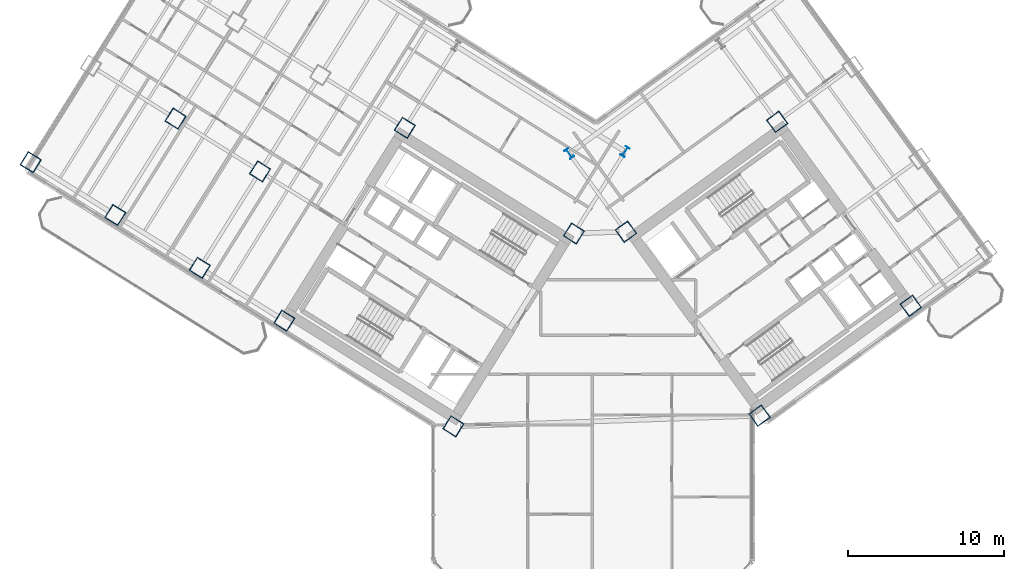
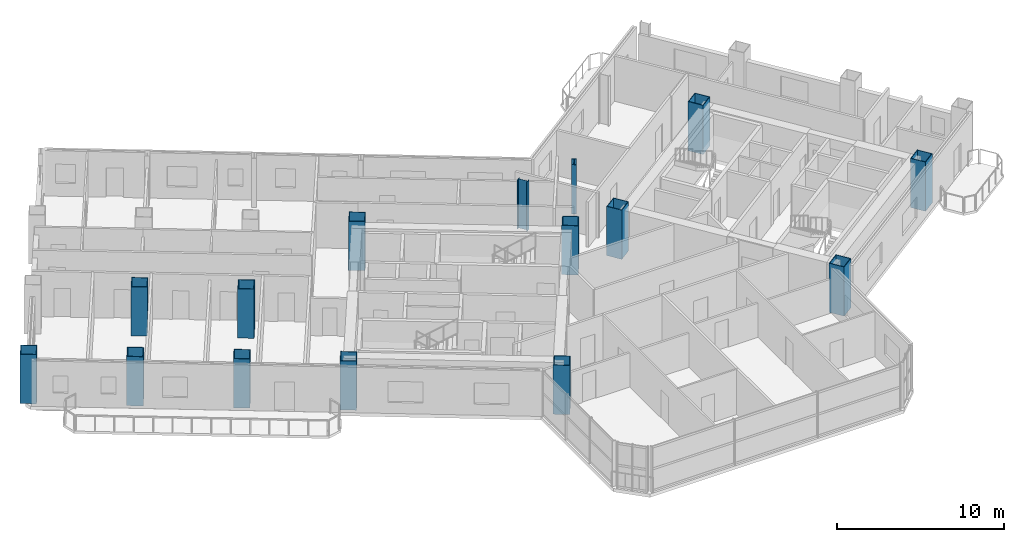
# One storey, part 1 of 21: 15 columns.
"""IFC4 building model written with IfcOpenShell, lengths in metres."""

from ifc_helpers import new_model, si_unit, direction, frame, origin, origin_2d, place, context, subcontext, project, spatial, hollow_rectangle, i_section, extrude, source, transform, mapped, material, material_profile, profile_set, type_object, element, save


model = new_model("IFC4")

# Units and contexts
model_context = context("Model", 3, precision=1e-05, world=origin(), true_north=direction((0.0, 1.0)))
body_context = subcontext(model_context, "Body", "Model", "MODEL_VIEW")
ifc_project = project(units=[si_unit("LENGTHUNIT", "METRE"), si_unit("AREAUNIT", "SQUARE_METRE"), si_unit("VOLUMEUNIT", "CUBIC_METRE"), si_unit("PLANEANGLEUNIT", "RADIAN"), si_unit("MASSUNIT", "GRAM", prefix="KILO")], contexts=[model_context])

# Site, building, storey
site_placement = place(None, origin())
site = spatial("IfcSite", under=ifc_project, at=site_placement, CompositionType="ELEMENT")
building_placement = place(site_placement, origin())
building = spatial("IfcBuilding", under=site, at=building_placement, Name="Tlacorven Tower", CompositionType="ELEMENT")
storey_placement = place(building_placement, frame((0.0, 0.0, 81.0)))
storey = spatial("IfcBuildingStorey", under=building, at=storey_placement, Name="L20", CompositionType="ELEMENT", Elevation=81.0)

# Columns
ifc_material = material(Name="Steel S460M", Category="steel")
ifc_material_profile_1 = material_profile(ifc_material, hollow_rectangle(XDim=1.0, YDim=1.0, WallThickness=0.0400390625, at=origin_2d()), Name="BOX 1000X1000X40")
ifc_profile_set_1 = profile_set([ifc_material_profile_1], Name="Steel S460M")
column_type_1 = type_object("IfcColumnType", Name="COL-TWR-S1", PredefinedType="COLUMN", material=ifc_profile_set_1)
shared_shape_1 = source(origin(), body_context, "Body", "SweptSolid", [
    extrude(hollow_rectangle(XDim=1.0, YDim=1.0, WallThickness=0.0400390625, at=origin_2d()), origin(), (0.0, 0.0, 1.0), 3.60009765625),
])
for number, where, z_axis, x_axis, name in (
    (1, (40.782958984375, 24.468505859375, 0.0), (0.0, 0.0, 1.0), (-0.848048096156, 0.529919264233, 0.0), "L20 column COL-L20-W1-2"),
    (2, (33.046142578125, 12.0869140625, 0.0), (0.0, 0.0, 1.0), (-0.848048096156, 0.529919264233, 0.0), "L20 column COL-L20-W1-4"),
    (3, (29.927978515625, 31.25146484375, 0.0), (0.0, 0.0, 1.0), (-0.848048096156, 0.529919264233, 0.0), "L20 column COL-L20-W3-2"),
    (4, (22.191162109375, 18.869873046875, 0.0), (0.0, 0.0, 1.0), (-0.848048096156, 0.529919264233, 0.0), "L20 column COL-L20-W3-4"),
    (5, (20.632080078125, 28.4521484375, 0.0), (0.0, 0.0, 1.0), (-0.848048096156, 0.529919264233, 0.0), "L20 column COL-L20-W4-3"),
    (6, (16.763671875, 22.26123046875, 0.0), (0.0, 0.0, 1.0), (-0.848048096156, 0.529919264233, 0.0), "L20 column COL-L20-W4-4"),
    (7, (15.20458984375, 31.843505859375, 0.0), (0.0, 0.0, 1.0), (-0.848048096156, 0.529919264233, 0.0), "L20 column COL-L20-W5-3"),
    (8, (11.336181640625, 25.65283203125, 0.0), (0.0, 0.0, 1.0), (-0.848048096156, 0.529919264233, 0.0), "L20 column COL-L20-W5-4"),
    (9, (5.90869140625, 29.044189453125, 0.0), (0.0, 0.0, 1.0), (-0.848048096156, 0.529919264233, 0.0), "L20 column COL-L20-W6-4"),
    (10, (52.705322265625, 12.7734375, 0.0), (0.0, 0.0, 1.0), (0.809016994375, 0.587785252292, 0.0), "L20 column COL-L20-E1-1"),
    (11, (44.123779296875, 24.5849609375, 0.0), (0.0, 0.0, 1.0), (0.809016994375, 0.587785252292, 0.0), "L20 column COL-L20-E1-3"),
    (12, (62.41357421875, 19.826904296875, 0.0), (0.0, 0.0, 1.0), (0.809016994375, 0.587785252292, 0.0), "L20 column COL-L20-E3-1"),
    (13, (53.83203125, 31.638427734375, 0.0), (0.0, 0.0, 1.0), (0.809016994375, 0.587785252292, 0.0), "L20 column COL-L20-E3-3"),
):
    element("IfcColumn", number, at=place(storey_placement, frame(where, z_axis=z_axis, x_axis=x_axis)), inside=storey, type_object=column_type_1, Name=name, PredefinedType="COLUMN", context=body_context, shape_type="MappedRepresentation", body=[
        mapped(shared_shape_1, transform((0.0, 0.0, 0.0), scale=1.0)),
    ])
ifc_material_profile_2 = material_profile(ifc_material, i_section(OverallWidth=0.300048828125, OverallDepth=0.64990234375, WebThickness=0.01611328125, FlangeThickness=0.031005859375, at=origin_2d()), Name="HEB 650")
ifc_profile_set_2 = profile_set([ifc_material_profile_2], Name="Steel S460M")
column_type_2 = type_object("IfcColumnType", Name="COL-TWR-P1", PredefinedType="COLUMN", material=ifc_profile_set_2)
shared_shape_2 = source(origin(), body_context, "Body", "SweptSolid", [
    extrude(i_section(OverallWidth=0.300048828125, OverallDepth=0.64990234375, WebThickness=0.01611328125, FlangeThickness=0.031005859375, at=origin_2d()), origin(), (0.0, 0.0, 1.0), 3.60009765625),
])
for number, where, z_axis, x_axis, name in (
    (14, (44.068359375, 29.726318359375, 0.0), (0.0, 0.0, 1.0), (-0.848048096156, 0.529919264233, 0.0), "L20 column COL-L20-W1-1"),
    (15, (40.4794921875, 29.60107421875, 0.0), (0.0, 0.0, 1.0), (0.809016994375, 0.587785252292, 0.0), "L20 column COL-L20-E1-4"),
):
    element("IfcColumn", number, at=place(storey_placement, frame(where, z_axis=z_axis, x_axis=x_axis)), inside=storey, type_object=column_type_2, Name=name, PredefinedType="COLUMN", context=body_context, shape_type="MappedRepresentation", body=[
        mapped(shared_shape_2, transform((0.0, 0.0, 0.0), scale=1.0)),
    ])

save(model, "model.ifc")
